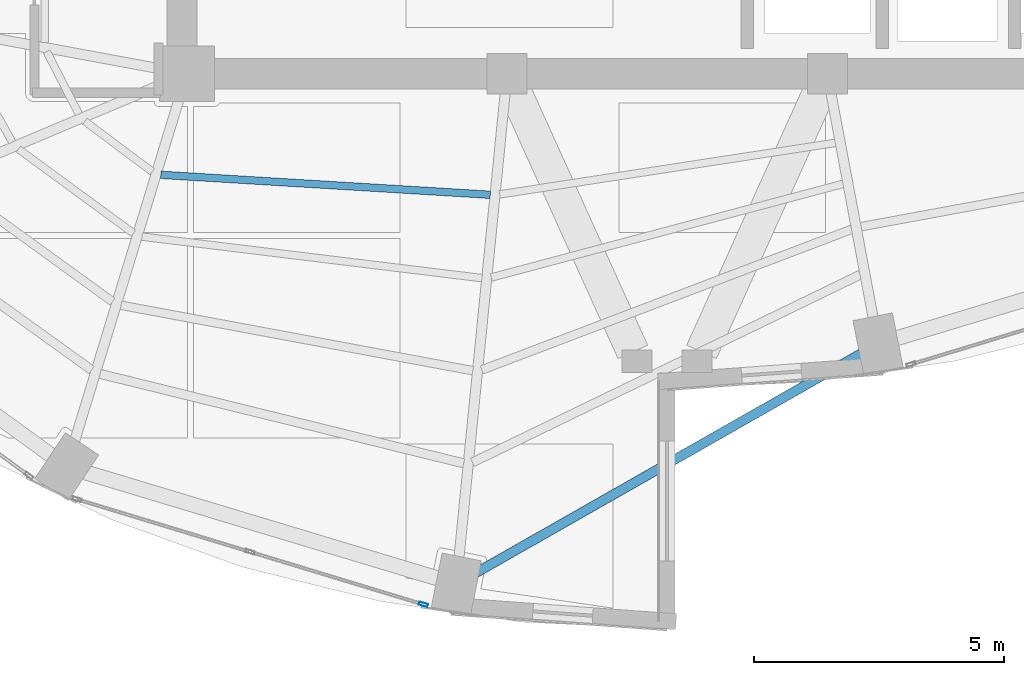
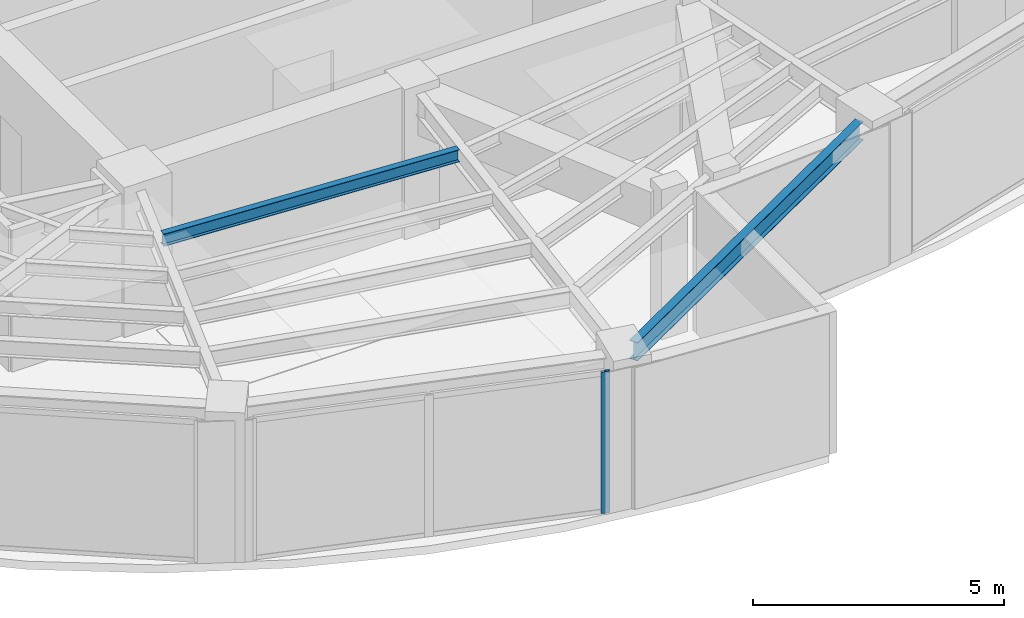
# One storey, part 5 of 23: 2 beams, 1 member, 1 element without a shape of its own.
"""IFC4 building model written with IfcOpenShell, lengths in metres."""

from ifc_helpers import new_model, si_unit, direction, frame, origin, origin_2d, place, context, subcontext, project, spatial, hollow_rectangle, i_section, extrude, material, layer, layer_set, material_profile, profile_set, type_object, element, aggregate, save


model = new_model("IFC4")

# Units and contexts
model_context = context("Model", 3, precision=1e-05, world=origin(), true_north=direction((0.0, 1.0)))
body_context = subcontext(model_context, "Body", "Model", "MODEL_VIEW")
ifc_project = project(units=[si_unit("LENGTHUNIT", "METRE"), si_unit("AREAUNIT", "SQUARE_METRE"), si_unit("VOLUMEUNIT", "CUBIC_METRE"), si_unit("PLANEANGLEUNIT", "RADIAN"), si_unit("MASSUNIT", "GRAM", prefix="KILO")], contexts=[model_context])

# Site, building, storey
site_placement = place(None, origin())
site = spatial("IfcSite", under=ifc_project, at=site_placement, CompositionType="ELEMENT")
building_placement = place(site_placement, origin())
building = spatial("IfcBuilding", under=site, at=building_placement, Name="Lazwardi Medical Tower", CompositionType="ELEMENT")
storey_placement = place(building_placement, frame((0.0, 0.0, 198.47998046875)))
storey = spatial("IfcBuildingStorey", under=building, at=storey_placement, Name="L51", CompositionType="ELEMENT", Elevation=198.47998046875)

# Beams
ifc_material_1 = material(Name="Steel S355", Category="steel")
ifc_material_profile_1 = material_profile(ifc_material_1, i_section(OverallWidth=0.14990234375, OverallDepth=0.300048828125, WebThickness=0.007080078125, FlangeThickness=0.0107421875, at=origin_2d()), Name="IPE 300")
ifc_profile_set_1 = profile_set([ifc_material_profile_1], Name="Steel S355")
beam_type_1 = type_object("IfcBeamType", Name="BM-SJ-03", PredefinedType="JOIST", material=ifc_profile_set_1)
beam_1_placement = place(storey_placement, frame((25.879150390625, 18.3798828125, 3.298095703125), z_axis=(0.998165515862, -0.060544223044, 0.0), x_axis=(0.060544223044, 0.998165515862, 0.0)))
element("IfcBeam", 1, at=beam_1_placement, inside=storey, type_object=beam_type_1, Name="Secondary joist SJ-03 R4 B15 L51", PredefinedType="JOIST", context=body_context, shape_type="SweptSolid", body=[
    extrude(i_section(OverallWidth=0.14990234375, OverallDepth=0.300048828125, WebThickness=0.007080078125, FlangeThickness=0.0107421875, at=origin_2d()), origin(), (0.0, 0.0, 1.0), 6.59716796875),
])
ifc_material_profile_2 = material_profile(ifc_material_1, i_section(OverallWidth=0.18994140625, OverallDepth=0.449951171875, WebThickness=0.009521484375, FlangeThickness=0.0146484375, at=origin_2d()), Name="IPE 450")
ifc_profile_set_2 = profile_set([ifc_material_profile_2], Name="Steel S355")
beam_type_2 = type_object("IfcBeamType", Name="BM-SP-01", PredefinedType="SPANDREL", material=ifc_profile_set_2)
beam_2_placement = place(storey_placement, frame((32.125, 10.394775390625, 3.222900390625), z_axis=(0.868954808466, 0.494891443494, 0.0), x_axis=(-0.494891443494, 0.868954808466, 0.0)))
element("IfcBeam", 2, at=beam_2_placement, inside=storey, type_object=beam_type_2, Name="Spandrel beam SP-01 B16 L51", PredefinedType="SPANDREL", context=body_context, shape_type="SweptSolid", body=[
    extrude(i_section(OverallWidth=0.18994140625, OverallDepth=0.449951171875, WebThickness=0.009521484375, FlangeThickness=0.0146484375, at=origin_2d()), origin(), (0.0, 0.0, 1.0), 8.918701171875),
])

# Curtain wall, member
ifc_material_2 = material(Name="Anodised bronze aluminium and solar control glazing", Category="aluminium")
ifc_layer = layer(ifc_material_2, 0.18994140625)
ifc_layer_set = layer_set([ifc_layer], Name="Anodised bronze aluminium and solar control glazing")
curtain_wall_type = type_object("IfcCurtainWallType", Name="CW-SYS-04", PredefinedType="NOTDEFINED", material=ifc_layer_set)
curtain_wall_placement = place(storey_placement, origin())
curtain_wall = element("IfcCurtainWall", 3, at=curtain_wall_placement, inside=storey, type_object=curtain_wall_type, Name="L51 Unitised bronze curtain wall CW-04", PredefinedType="NOTDEFINED")
ifc_material_3 = material(Name="Anodised bronze aluminium", Category="aluminium")
ifc_material_profile_3 = material_profile(ifc_material_3, hollow_rectangle(XDim=0.06494140625, YDim=0.179931640625, WallThickness=0.00390625, at=origin_2d()), Name="ALU-MULLION 180x65x4")
ifc_profile_set_3 = profile_set([ifc_material_profile_3], Name="Anodised bronze aluminium")
member_type = type_object("IfcMemberType", Name="CW-MUL-03", PredefinedType="MULLION", material=ifc_profile_set_3)
member_placement = place(storey_placement, frame((31.126953125, 9.79296875, 0.0), z_axis=(0.0, 0.0, 1.0), x_axis=(0.290581889515, 0.956850126972, 0.0)))
member = element("IfcMember", 4, at=member_placement, type_object=member_type, Name="CW-04 mullion 3", PredefinedType="MULLION", context=body_context, shape_type="SweptSolid", body=[
    extrude(hollow_rectangle(XDim=0.06494140625, YDim=0.179931640625, WallThickness=0.00390625, at=origin_2d()), origin(), (0.0, 0.0, 1.0), 3.447998046875),
])
aggregate(curtain_wall, [member])

save(model, "model.ifc")
